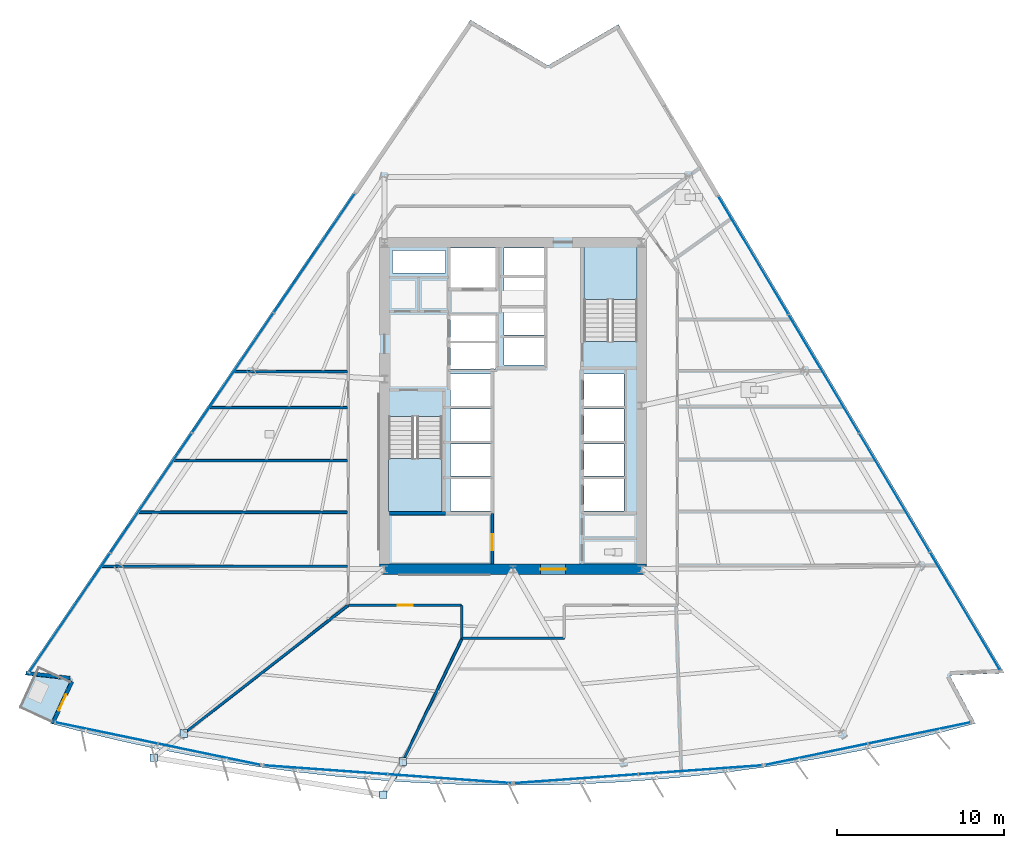
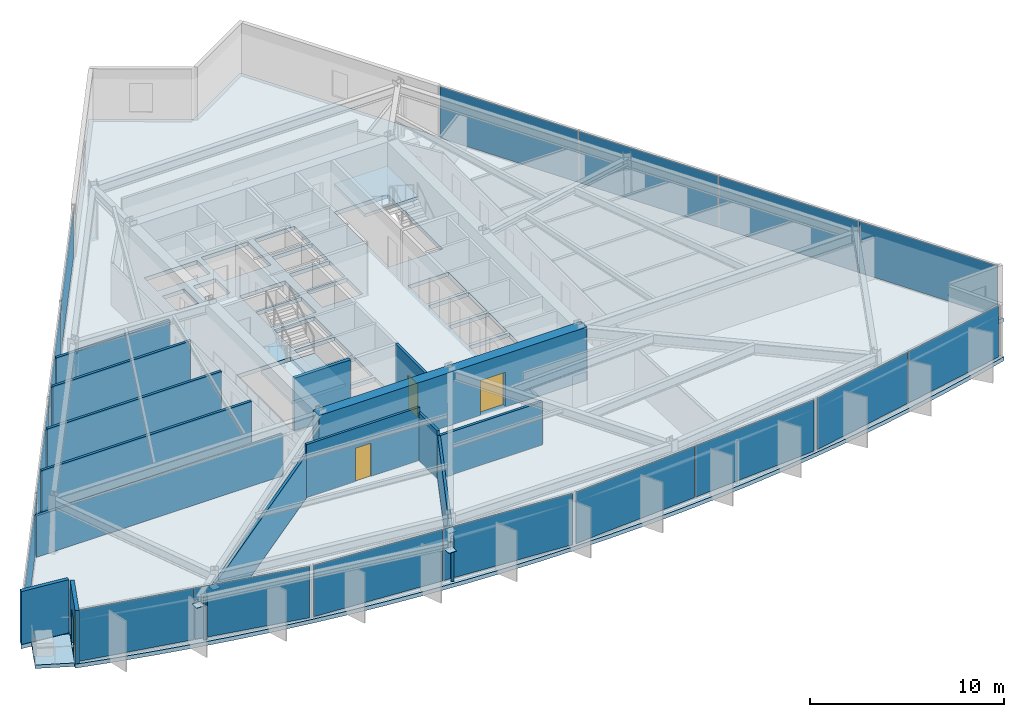
# One storey, part 8 of 17: 20 plates, 15 walls, 4 doors, 4 slabs, 4 openings, 8 elements without a shape of their own.
"""IFC4 building model written with IfcOpenShell, lengths in metres."""

from ifc_helpers import new_model, si_unit, direction, frame, frame_2d, origin, origin_2d, place, context, subcontext, project, spatial, polyline, rectangle, outline, extrude, material, layer, layer_set, type_object, element, fill, aggregate, save


model = new_model("IFC4")

# Units and contexts
model_context = context("Model", 3, precision=1e-05, world=origin(), true_north=direction((0.0, 1.0)))
body_context = subcontext(model_context, "Body", "Model", "MODEL_VIEW")
ifc_project = project(units=[si_unit("LENGTHUNIT", "METRE"), si_unit("AREAUNIT", "SQUARE_METRE"), si_unit("VOLUMEUNIT", "CUBIC_METRE"), si_unit("PLANEANGLEUNIT", "RADIAN"), si_unit("MASSUNIT", "GRAM", prefix="KILO")], contexts=[model_context])

# Site, building, storey
site_placement = place(None, origin())
site = spatial("IfcSite", under=ifc_project, at=site_placement, CompositionType="ELEMENT")
building_placement = place(site_placement, origin())
building = spatial("IfcBuilding", under=site, at=building_placement, Name="Savorim Split Tower", CompositionType="ELEMENT")
storey_placement = place(building_placement, frame((0.0, 0.0, 55.199951171875)))
storey = spatial("IfcBuildingStorey", under=building, at=storey_placement, Name="L14", CompositionType="ELEMENT", Elevation=55.199951171875)

# Curtain wall, plates
ifc_material_1 = material(Name="Dark Ceramic-Fritted Insulated Glass", Category="glass")
curtain_wall_type = type_object("IfcCurtainWallType", Name="CW-TWR-FRIT-A", PredefinedType="NOTDEFINED", material=ifc_material_1)
curtain_wall_1_placement = place(storey_placement, origin())
curtain_wall_1 = element("IfcCurtainWall", 1, at=curtain_wall_1_placement, inside=storey, type_object=curtain_wall_type, Name="L14 Curtain Wall CW-L14-SF1", PredefinedType="NOTDEFINED")
ifc_layer_1 = layer(ifc_material_1, 0.028076171875)
ifc_layer_set_1 = layer_set([ifc_layer_1], Name="CWP-FRITA-28")
plate_type_1 = type_object("IfcPlateType", Name="CWP-FRITA-28", PredefinedType="CURTAIN_PANEL", material=ifc_layer_set_1)
plate_1_placement = place(storey_placement, frame((-24.364501953125, -19.215087890625, 0.05517578125), z_axis=(0.0, 0.0, 1.0), x_axis=(0.979134341705, -0.203214027305, 0.0)))
plate_1 = element("IfcPlate", 2, at=plate_1_placement, type_object=plate_type_1, Name="CW-02 panel 1.1", PredefinedType="CURTAIN_PANEL", context=body_context, shape_type="SweptSolid", body=[
    extrude(rectangle(XDim=6.23095703125, YDim=0.028076171875, at=origin_2d()), origin(), (0.0, 0.0, 1.0), 3.239990234375),
])
plate_2_placement = place(storey_placement, frame((-18.19970703125, -20.49462890625, 0.05517578125), z_axis=(0.0, 0.0, 1.0), x_axis=(0.979134341705, -0.203214027305, 0.0)))
plate_2 = element("IfcPlate", 3, at=plate_2_placement, type_object=plate_type_1, Name="CW-02 panel 2.1", PredefinedType="CURTAIN_PANEL", context=body_context, shape_type="SweptSolid", body=[
    extrude(rectangle(XDim=6.23095703125, YDim=0.028076171875, at=origin_2d()), origin(), (0.0, 0.0, 1.0), 3.239990234375),
])
aggregate(curtain_wall_1, [plate_1, plate_2])

curtain_wall_2_placement = place(storey_placement, origin())
curtain_wall_2 = element("IfcCurtainWall", 4, at=curtain_wall_2_placement, inside=storey, type_object=curtain_wall_type, Name="L14 Curtain Wall CW-L14-SF2", PredefinedType="NOTDEFINED")
plate_3_placement = place(storey_placement, frame((-11.233642578125, -21.424072265625, 0.05517578125), z_axis=(0.0, 0.0, 1.0), x_axis=(0.997436509051, -0.071557043071, 0.0)))
plate_3 = element("IfcPlate", 5, at=plate_3_placement, type_object=plate_type_1, Name="CW-02 panel 1.1", PredefinedType="CURTAIN_PANEL", context=body_context, shape_type="SweptSolid", body=[
    extrude(rectangle(XDim=7.387451171875, YDim=0.028076171875, at=origin_2d()), origin(), (0.0, 0.0, 1.0), 3.239990234375),
])
plate_4_placement = place(storey_placement, frame((-3.80029296875, -21.95751953125, 0.05517578125), z_axis=(0.0, 0.0, 1.0), x_axis=(0.997436509051, -0.071557043071, 0.0)))
plate_4 = element("IfcPlate", 6, at=plate_4_placement, type_object=plate_type_1, Name="CW-02 panel 2.1", PredefinedType="CURTAIN_PANEL", context=body_context, shape_type="SweptSolid", body=[
    extrude(rectangle(XDim=7.387451171875, YDim=0.028076171875, at=origin_2d()), origin(), (0.0, 0.0, 1.0), 3.239990234375),
])
aggregate(curtain_wall_2, [plate_3, plate_4])

curtain_wall_3_placement = place(storey_placement, origin())
curtain_wall_3 = element("IfcCurtainWall", 7, at=curtain_wall_3_placement, inside=storey, type_object=curtain_wall_type, Name="L14 Curtain Wall CW-L14-SF3", PredefinedType="NOTDEFINED")
plate_5_placement = place(storey_placement, frame((3.80029296875, -21.95751953125, 0.05517578125), z_axis=(0.0, 0.0, 1.0), x_axis=(0.997436509051, 0.071557043071, 0.0)))
plate_5 = element("IfcPlate", 8, at=plate_5_placement, type_object=plate_type_1, Name="CW-02 panel 1.1", PredefinedType="CURTAIN_PANEL", context=body_context, shape_type="SweptSolid", body=[
    extrude(rectangle(XDim=7.387451171875, YDim=0.028076171875, at=origin_2d()), origin(), (0.0, 0.0, 1.0), 3.239990234375),
])
plate_6_placement = place(storey_placement, frame((11.233642578125, -21.424072265625, 0.05517578125), z_axis=(0.0, 0.0, 1.0), x_axis=(0.997436509051, 0.071557043071, 0.0)))
plate_6 = element("IfcPlate", 9, at=plate_6_placement, type_object=plate_type_1, Name="CW-02 panel 2.1", PredefinedType="CURTAIN_PANEL", context=body_context, shape_type="SweptSolid", body=[
    extrude(rectangle(XDim=7.387451171875, YDim=0.028076171875, at=origin_2d()), origin(), (0.0, 0.0, 1.0), 3.239990234375),
])
aggregate(curtain_wall_3, [plate_5, plate_6])

curtain_wall_4_placement = place(storey_placement, origin())
curtain_wall_4 = element("IfcCurtainWall", 10, at=curtain_wall_4_placement, inside=storey, type_object=curtain_wall_type, Name="L14 Curtain Wall CW-L14-SF4", PredefinedType="NOTDEFINED")
plate_7_placement = place(storey_placement, frame((18.19970703125, -20.49462890625, 0.05517578125), z_axis=(0.0, 0.0, 1.0), x_axis=(0.979134341705, 0.203214027305, 0.0)))
plate_7 = element("IfcPlate", 11, at=plate_7_placement, type_object=plate_type_1, Name="CW-02 panel 1.1", PredefinedType="CURTAIN_PANEL", context=body_context, shape_type="SweptSolid", body=[
    extrude(rectangle(XDim=6.23095703125, YDim=0.028076171875, at=origin_2d()), origin(), (0.0, 0.0, 1.0), 3.239990234375),
])
plate_8_placement = place(storey_placement, frame((24.364501953125, -19.215087890625, 0.05517578125), z_axis=(0.0, 0.0, 1.0), x_axis=(0.979134341705, 0.203214027305, 0.0)))
plate_8 = element("IfcPlate", 12, at=plate_8_placement, type_object=plate_type_1, Name="CW-02 panel 2.1", PredefinedType="CURTAIN_PANEL", context=body_context, shape_type="SweptSolid", body=[
    extrude(rectangle(XDim=6.23095703125, YDim=0.028076171875, at=origin_2d()), origin(), (0.0, 0.0, 1.0), 3.239990234375),
])
aggregate(curtain_wall_4, [plate_7, plate_8])

curtain_wall_5_placement = place(storey_placement, origin())
curtain_wall_5 = element("IfcCurtainWall", 13, at=curtain_wall_5_placement, inside=storey, type_object=curtain_wall_type, Name="L14 Curtain Wall CW-L14-EAST", PredefinedType="NOTDEFINED")
plate_9_placement = place(storey_placement, frame((27.0947265625, -11.918701171875, 0.05517578125), z_axis=(0.0, 0.0, 1.0), x_axis=(-0.511092320583, 0.859525822673, 0.0)))
plate_9 = element("IfcPlate", 14, at=plate_9_placement, type_object=plate_type_1, Name="CW-02 panel 1.1", PredefinedType="CURTAIN_PANEL", context=body_context, shape_type="SweptSolid", body=[
    extrude(rectangle(XDim=8.18896484375, YDim=0.028076171875, at=origin_2d()), origin(), (0.0, 0.0, 1.0), 3.239990234375),
])
plate_10_placement = place(storey_placement, frame((22.867919921875, -4.81005859375, 0.05517578125), z_axis=(0.0, 0.0, 1.0), x_axis=(-0.511092320583, 0.859525822673, 0.0)))
plate_10 = element("IfcPlate", 15, at=plate_10_placement, type_object=plate_type_1, Name="CW-02 panel 2.1", PredefinedType="CURTAIN_PANEL", context=body_context, shape_type="SweptSolid", body=[
    extrude(rectangle(XDim=8.221435546875, YDim=0.028076171875, at=origin_2d()), origin(), (0.0, 0.0, 1.0), 3.239990234375),
])
plate_11_placement = place(storey_placement, frame((18.632568359375, 2.3125, 0.05517578125), z_axis=(0.0, 0.0, 1.0), x_axis=(-0.511092320583, 0.859525822673, 0.0)))
plate_11 = element("IfcPlate", 16, at=plate_11_placement, type_object=plate_type_1, Name="CW-02 panel 3.1", PredefinedType="CURTAIN_PANEL", context=body_context, shape_type="SweptSolid", body=[
    extrude(rectangle(XDim=8.221435546875, YDim=0.028076171875, at=origin_2d()), origin(), (0.0, 0.0, 1.0), 3.239990234375),
])
plate_12_placement = place(storey_placement, frame((14.40576171875, 9.4208984375, 0.05517578125), z_axis=(0.0, 0.0, 1.0), x_axis=(-0.511092320583, 0.859525822673, 0.0)))
plate_12 = element("IfcPlate", 17, at=plate_12_placement, type_object=plate_type_1, Name="CW-02 panel 4.1", PredefinedType="CURTAIN_PANEL", context=body_context, shape_type="SweptSolid", body=[
    extrude(rectangle(XDim=8.18896484375, YDim=0.028076171875, at=origin_2d()), origin(), (0.0, 0.0, 1.0), 3.239990234375),
])
aggregate(curtain_wall_5, [plate_9, plate_10, plate_11, plate_12])

curtain_wall_6_placement = place(storey_placement, origin())
curtain_wall_6 = element("IfcCurtainWall", 18, at=curtain_wall_6_placement, inside=storey, type_object=curtain_wall_type, Name="L14 Curtain Wall CW-L14-WEST", PredefinedType="NOTDEFINED")
plate_13_placement = place(storey_placement, frame((-11.907470703125, 9.5517578125, 0.05517578125), z_axis=(0.0, 0.0, 1.0), x_axis=(-0.562466356423, -0.826820172644, 0.0)))
plate_13 = element("IfcPlate", 19, at=plate_13_placement, type_object=plate_type_1, Name="CW-02 panel 1.1", PredefinedType="CURTAIN_PANEL", context=body_context, shape_type="SweptSolid", body=[
    extrude(rectangle(XDim=8.606201171875, YDim=0.028076171875, at=origin_2d()), origin(), (0.0, 0.0, 1.0), 3.239990234375),
])
plate_14_placement = place(storey_placement, frame((-16.7939453125, 2.368896484375, 0.05517578125), z_axis=(0.0, 0.0, 1.0), x_axis=(-0.562466356423, -0.826820172644, 0.0)))
plate_14 = element("IfcPlate", 20, at=plate_14_placement, type_object=plate_type_1, Name="CW-02 panel 2.1", PredefinedType="CURTAIN_PANEL", context=body_context, shape_type="SweptSolid", body=[
    extrude(rectangle(XDim=8.638671875, YDim=0.028076171875, at=origin_2d()), origin(), (0.0, 0.0, 1.0), 3.239990234375),
])
plate_15_placement = place(storey_placement, frame((-21.689453125, -4.82763671875, 0.05517578125), z_axis=(0.0, 0.0, 1.0), x_axis=(-0.562466356423, -0.826820172644, 0.0)))
plate_15 = element("IfcPlate", 21, at=plate_15_placement, type_object=plate_type_1, Name="CW-02 panel 3.1", PredefinedType="CURTAIN_PANEL", context=body_context, shape_type="SweptSolid", body=[
    extrude(rectangle(XDim=8.638671875, YDim=0.028076171875, at=origin_2d()), origin(), (0.0, 0.0, 1.0), 3.239990234375),
])
plate_16_placement = place(storey_placement, frame((-26.57568359375, -12.010498046875, 0.05517578125), z_axis=(0.0, 0.0, 1.0), x_axis=(-0.562466356423, -0.826820172644, 0.0)))
plate_16 = element("IfcPlate", 22, at=plate_16_placement, type_object=plate_type_1, Name="CW-02 panel 4.1", PredefinedType="CURTAIN_PANEL", context=body_context, shape_type="SweptSolid", body=[
    extrude(rectangle(XDim=8.606201171875, YDim=0.028076171875, at=origin_2d()), origin(), (0.0, 0.0, 1.0), 3.239990234375),
])
aggregate(curtain_wall_6, [plate_13, plate_14, plate_15, plate_16])

# Plates
ifc_material_2 = material(Name="Steel S460", Category="steel")
ifc_layer_2 = layer(ifc_material_2, 0.02490234375)
ifc_layer_set_2 = layer_set([ifc_layer_2], Name="PLT-NODE-CN1")
plate_type_2 = type_object("IfcPlateType", Name="PLT-NODE-CN1", PredefinedType="SHEET", material=ifc_layer_set_2)
for number, where, z_axis, x_axis, name in (
    (23, (-19.7392578125, -19.243896484375, 2.4375), (0.0, 0.0, 1.0), (1.0, 0.0, 0.0), "L14 Bay Strut Column Gusset Plate 1"),
    (24, (-21.536376953125, -20.69140625, 2.8076171875), (0.0, 0.0, 1.0), (1.0, 0.0, 0.0), "L14 Bay Strut Tip Gusset Plate 1"),
    (25, (-6.61572265625, -20.928955078125, 2.4375), (0.0, 0.0, 1.0), (1.0, 0.0, 0.0), "L14 Bay Strut Column Gusset Plate 2"),
    (26, (-7.779541015625, -22.925537109375, 2.8076171875), (0.0, 0.0, 1.0), (1.0, 0.0, 0.0), "L14 Bay Strut Tip Gusset Plate 2"),
):
    element("IfcPlate", number, at=place(storey_placement, frame(where, z_axis=z_axis, x_axis=x_axis)), inside=storey, type_object=plate_type_2, Name=name, PredefinedType="SHEET", context=body_context, shape_type="SweptSolid", body=[
        extrude(rectangle(XDim=0.4599609375, YDim=0.4599609375, at=origin_2d()), origin(), (0.0, 0.0, 1.0), 0.02490234375),
    ])

# Slab
ifc_material_3 = material(Name="Concrete C50/60", Category="concrete")
ifc_layer_3 = layer(ifc_material_3, 0.219970703125)
ifc_layer_set_3 = layer_set([ifc_layer_3], Name="SLB-BAL-220")
slab_type_1 = type_object("IfcSlabType", Name="SLB-BAL-220", PredefinedType="FLOOR", material=ifc_layer_set_3)
slab_1_placement = place(storey_placement, frame((0.0, 0.0, -0.219970703125)))
element("IfcSlab", 27, at=slab_1_placement, inside=storey, type_object=slab_type_1, Name="L14 Notched Corner Planted Tree Balcony Slab", PredefinedType="FLOOR", context=body_context, shape_type="SweptSolid", body=[
    extrude(outline(polyline([(-27.6728515625, -18.530517578125), (-26.578369140625, -16.1484375), (-26.888916015625, -16.005859375), (-28.672119140625, -15.806640625), (-29.531005859375, -17.6767578125), (-27.6728515625, -18.530517578125)])), origin(), (0.0, 0.0, 1.0), 0.219970703125),
])

# Stair, slab
stair_type = type_object("IfcStairType", Name="STR-DOG-3600", PredefinedType="HALF_TURN_STAIR", material=ifc_material_3)
stair_1_placement = place(storey_placement, origin())
stair_1 = element("IfcStair", 28, at=stair_1_placement, inside=storey, type_object=stair_type, Name="L14 Core Protected Exit Stair ST-1", PredefinedType="HALF_TURN_STAIR")
ifc_layer_4 = layer(ifc_material_3, 0.199951171875)
ifc_layer_set_4 = layer_set([ifc_layer_4], Name="SLB-LND-200")
slab_type_2 = type_object("IfcSlabType", Name="SLB-LND-200", PredefinedType="LANDING", material=ifc_layer_set_4)
slab_2_placement = place(storey_placement, frame((0.0, 0.0, 1.60009765625)))
slab_2 = element("IfcSlab", 29, at=slab_2_placement, type_object=slab_type_2, Name="ST-1 landing 1", PredefinedType="LANDING", context=body_context, shape_type="SweptSolid", body=[
    extrude(outline(polyline([(-7.449951171875, -2.77001953125), (-7.449951171875, -5.949951171875), (-4.25, -5.949951171875), (-4.25, -2.77001953125), (-7.449951171875, -2.77001953125)])), origin(), (0.0, 0.0, 1.0), 0.199951171875),
])
aggregate(stair_1, [slab_2])

stair_2_placement = place(storey_placement, origin())
stair_2 = element("IfcStair", 30, at=stair_2_placement, inside=storey, type_object=stair_type, Name="L14 Core Protected Exit Stair ST-2", PredefinedType="HALF_TURN_STAIR")
slab_3_placement = place(storey_placement, frame((0.0, 0.0, 1.60009765625)))
slab_3 = element("IfcSlab", 31, at=slab_3_placement, type_object=slab_type_2, Name="ST-2 landing 1", PredefinedType="LANDING", context=body_context, shape_type="SweptSolid", body=[
    extrude(outline(polyline([(7.449951171875, 6.77001953125), (7.449951171875, 9.949951171875), (4.25, 9.949951171875), (4.25, 6.77001953125), (7.449951171875, 6.77001953125)])), origin(), (0.0, 0.0, 1.0), 0.199951171875),
])
aggregate(stair_2, [slab_3])

# Slab
ifc_layer_5 = layer(ifc_material_3, 0.25)
ifc_layer_set_5 = layer_set([ifc_layer_5], Name="SLB-TWR-250")
slab_type_3 = type_object("IfcSlabType", Name="SLB-TWR-250", PredefinedType="FLOOR", material=ifc_layer_set_5)
slab_4_placement = place(storey_placement, frame((0.0, 0.0, -0.25)))
element("IfcSlab", 32, at=slab_4_placement, inside=storey, type_object=slab_type_3, Name="L14 Structural Floor Slab", PredefinedType="FLOOR", context=body_context, shape_type="SweptSolid", body=[
    extrude(outline(polyline([(-27.718505859375, -18.6416015625), (-25.631103515625, -19.1875), (-23.533203125, -19.6904296875), (-21.42529296875, -20.150390625), (-19.308349609375, -20.5673828125), (-17.183349609375, -20.940673828125), (-15.05126953125, -21.2705078125), (-12.912841796875, -21.556640625), (-10.768798828125, -21.799072265625), (-8.62060546875, -21.997314453125), (-6.468505859375, -22.15185546875), (-4.31396484375, -22.26220703125), (-2.157470703125, -22.328369140625), (0.0, -22.350341796875), (2.157470703125, -22.328369140625), (4.31396484375, -22.26220703125), (6.468505859375, -22.15185546875), (8.62060546875, -21.997314453125), (10.768798828125, -21.799072265625), (12.912841796875, -21.556640625), (15.05126953125, -21.2705078125), (17.183349609375, -20.940673828125), (19.308349609375, -20.5673828125), (21.42529296875, -20.150390625), (23.533203125, -19.6904296875), (25.631103515625, -19.1875), (27.718505859375, -18.6416015625), (26.17236328125, -15.760498046875), (29.436279296875, -15.62158203125), (6.318603515625, 23.256591796875), (2.098388671875, 20.797119140625), (-2.5458984375, 23.526611328125), (-29.255615234375, -15.736572265625), (-26.523681640625, -16.04150390625), (-27.718505859375, -18.6416015625)]), holes=[polyline([(-7.449951171875, -0.25390625), (-7.449951171875, -5.949951171875), (-4.25, -5.949951171875), (-4.25, -0.25390625), (-7.449951171875, -0.25390625)]), polyline([(7.449951171875, 4.25390625), (7.449951171875, 9.949951171875), (4.25, 9.949951171875), (4.25, 4.25390625), (7.449951171875, 4.25390625)]), polyline([(4.25, -5.89990234375), (6.64990234375, -5.89990234375), (6.64990234375, -4.0), (4.25, -4.0), (4.25, -5.89990234375)]), polyline([(4.25, -3.800048828125), (6.64990234375, -3.800048828125), (6.64990234375, -1.89990234375), (4.25, -1.89990234375), (4.25, -3.800048828125)]), polyline([(4.25, -1.699951171875), (6.64990234375, -1.699951171875), (6.64990234375, 0.199951171875), (4.25, 0.199951171875), (4.25, -1.699951171875)]), polyline([(4.25, 0.39990234375), (6.64990234375, 0.39990234375), (6.64990234375, 2.300048828125), (4.25, 2.300048828125), (4.25, 0.39990234375)]), polyline([(-3.75, -5.89990234375), (-1.35009765625, -5.89990234375), (-1.35009765625, -4.0), (-3.75, -4.0), (-3.75, -5.89990234375)]), polyline([(-3.75, -3.800048828125), (-1.35009765625, -3.800048828125), (-1.35009765625, -1.89990234375), (-3.75, -1.89990234375), (-3.75, -3.800048828125)]), polyline([(-3.75, -1.699951171875), (-1.35009765625, -1.699951171875), (-1.35009765625, 0.199951171875), (-3.75, 0.199951171875), (-3.75, -1.699951171875)]), polyline([(-3.75, 0.39990234375), (-1.35009765625, 0.39990234375), (-1.35009765625, 2.300048828125), (-3.75, 2.300048828125), (-3.75, 0.39990234375)]), polyline([(-0.550048828125, 2.830078125), (1.85009765625, 2.830078125), (1.85009765625, 4.469970703125), (-0.550048828125, 4.469970703125), (-0.550048828125, 2.830078125)]), polyline([(-0.550048828125, 4.6298828125), (1.85009765625, 4.6298828125), (1.85009765625, 6.27001953125), (-0.550048828125, 6.27001953125), (-0.550048828125, 4.6298828125)]), polyline([(-0.550048828125, 6.429931640625), (1.85009765625, 6.429931640625), (1.85009765625, 8.070068359375), (-0.550048828125, 8.070068359375), (-0.550048828125, 6.429931640625)]), polyline([(-0.550048828125, 8.22998046875), (1.85009765625, 8.22998046875), (1.85009765625, 9.8701171875), (-0.550048828125, 9.8701171875), (-0.550048828125, 8.22998046875)]), polyline([(-3.75, 2.60009765625), (-1.050048828125, 2.60009765625), (-1.050048828125, 4.159912109375), (-3.75, 4.159912109375), (-3.75, 2.60009765625)]), polyline([(-3.75, 4.280029296875), (-1.050048828125, 4.280029296875), (-1.050048828125, 5.840087890625), (-3.75, 5.840087890625), (-3.75, 4.280029296875)]), polyline([(-3.75, 7.449951171875), (-0.949951171875, 7.449951171875), (-0.949951171875, 9.85009765625), (-3.75, 9.85009765625), (-3.75, 7.449951171875)]), polyline([(-7.219970703125, 6.320068359375), (-5.919921875, 6.320068359375), (-5.919921875, 7.820068359375), (-7.219970703125, 7.820068359375), (-7.219970703125, 6.320068359375)]), polyline([(-5.3798828125, 6.320068359375), (-4.050048828125, 6.320068359375), (-4.050048828125, 7.820068359375), (-5.3798828125, 7.820068359375), (-5.3798828125, 6.320068359375)]), polyline([(-7.219970703125, 8.360107421875), (-4.050048828125, 8.360107421875), (-4.050048828125, 9.719970703125), (-7.219970703125, 9.719970703125), (-7.219970703125, 8.360107421875)])]), origin(), (0.0, 0.0, 1.0), 0.25),
])

# Wall, opening, door
ifc_material_4 = material(Name="Concrete C60/75", Category="concrete")
ifc_layer_6 = layer(ifc_material_4, 0.60009765625)
ifc_layer_set_6 = layer_set([ifc_layer_6], Name="WAL-COR-SH600")
wall_type_1 = type_object("IfcWallType", Name="WAL-COR-SH600", PredefinedType="SHEAR", material=ifc_layer_set_6)
wall_1_placement = place(storey_placement, frame((-8.0, -9.39990234375, 0.0), z_axis=(0.0, 0.0, 1.0), x_axis=(1.0, 0.0, 0.0)))
wall_1 = element("IfcWall", 33, at=wall_1_placement, inside=storey, type_object=wall_type_1, Name="L14 Offset Core South Shear Wall", PredefinedType="SHEAR", context=body_context, shape_type="SweptSolid", body=[
    extrude(rectangle(XDim=16.0, YDim=0.60009765625, at=frame_2d((8.0, 0.0))), origin(), (0.0, 0.0, 1.0), 3.35009765625),
])
opening_1_placement = place(wall_1_placement, frame((9.64990234375, 0.0, 0.0)))
opening_1 = element("IfcOpeningElement", 34, at=opening_1_placement, cuts=wall_1, Name="Opening DI-02", PredefinedType="OPENING", context=body_context, shape_type="SweptSolid", body=[
    extrude(rectangle(XDim=1.5, YDim=2.199951171875, at=frame_2d((0.75, 1.10009765625))), frame((0.0, 0.31005859375, 0.0), z_axis=(0.0, -1.0, 0.0), x_axis=(1.0, 0.0, 0.0)), (0.0, 0.0, 1.0), 0.6201171875),
])
ifc_material_5 = material(Name="Timber Fire Door Leaf", Category="wood")
door_type_1 = type_object("IfcDoorType", Name="DOR-DBL-1500", OperationType="NOTDEFINED", PredefinedType="DOOR", material=ifc_material_5)
door_1_placement = place(opening_1_placement, origin())
door_1 = element("IfcDoor", 35, at=door_1_placement, inside=storey, type_object=door_type_1, Name="DOR-L14-COR-LLOB - L14 Lift Lobby Main Rated Door", OperationType="DOUBLE_DOOR_SINGLE_SWING", OverallHeight=2.199951171875, OverallWidth=1.5, PredefinedType="DOOR", context=body_context, shape_type="SweptSolid", body=[
    extrude(rectangle(XDim=1.5, YDim=2.199951171875, at=frame_2d((0.75, 1.10009765625))), frame((0.0, 0.02490234375, 0.0), z_axis=(0.0, -1.0, 0.0), x_axis=(1.0, 0.0, 0.0)), (0.0, 0.0, 1.0), 0.050048828125),
])
fill(opening_1, door_1)

# Wall
ifc_material_6 = material(Name="Precast concrete C40/50", Category="concrete")
ifc_layer_7 = layer(ifc_material_6, 0.219970703125)
ifc_layer_set_7 = layer_set([ifc_layer_7], Name="WAL-EXT-CRN220")
wall_type_2 = type_object("IfcWallType", Name="WAL-EXT-CRN220", PredefinedType="SOLIDWALL", material=ifc_layer_set_7)
wall_2_placement = place(storey_placement, frame((-26.55029296875, -15.917724609375, 0.0), z_axis=(0.0, 0.0, 1.0), x_axis=(-0.993824465748, 0.110963648468, 0.0)))
element("IfcWall", 36, at=wall_2_placement, inside=storey, type_object=wall_type_2, Name="L14 Notched Corner Facade Wall SW1", PredefinedType="SOLIDWALL", context=body_context, shape_type="SweptSolid", body=[
    extrude(rectangle(XDim=2.6689453125, YDim=0.219970703125, at=frame_2d((1.33447265625, 0.0))), origin(), (0.0, 0.0, 1.0), 3.35009765625),
])

# Wall, opening, door
wall_3_placement = place(storey_placement, frame((-27.5927734375, -18.655517578125, 0.0), z_axis=(0.0, 0.0, 1.0), x_axis=(0.417515840695, 0.908669644463, 0.0)))
wall_3 = element("IfcWall", 37, at=wall_3_placement, inside=storey, type_object=wall_type_2, Name="L14 Notched Corner Facade Wall SW", PredefinedType="SOLIDWALL", context=body_context, shape_type="SweptSolid", body=[
    extrude(rectangle(XDim=2.78173828125, YDim=0.219970703125, at=frame_2d((1.390869140625, 0.0))), origin(), (0.0, 0.0, 1.0), 3.35009765625),
])
opening_2_placement = place(wall_3_placement, frame((0.86572265625, 0.0, 0.0)))
opening_2 = element("IfcOpeningElement", 38, at=opening_2_placement, cuts=wall_3, Name="Opening DB-01", PredefinedType="OPENING", context=body_context, shape_type="SweptSolid", body=[
    extrude(rectangle(XDim=1.050048828125, YDim=2.14990234375, at=frame_2d((0.52490234375, 1.074951171875))), frame((0.0, 0.119873046875, 0.0), z_axis=(0.0, -1.0, 0.0), x_axis=(1.0, 0.0, 0.0)), (0.0, 0.0, 1.0), 0.239990234375),
])
ifc_material_7 = material(Name="Charcoal Anodised Aluminium", Category="aluminium")
door_type_2 = type_object("IfcDoorType", Name="DOR-BAL-1050", OperationType="NOTDEFINED", PredefinedType="DOOR", material=ifc_material_7)
door_2_placement = place(opening_2_placement, origin())
door_2 = element("IfcDoor", 39, at=door_2_placement, inside=storey, type_object=door_type_2, Name="DOR-L14-TBAL-SW - L14 Planted Tree Balcony Door SW", OperationType="SINGLE_SWING_LEFT", OverallHeight=2.14990234375, OverallWidth=1.050048828125, PredefinedType="DOOR", context=body_context, shape_type="SweptSolid", body=[
    extrude(rectangle(XDim=1.050048828125, YDim=2.14990234375, at=frame_2d((0.52490234375, 1.074951171875))), frame((0.0, 0.02490234375, 0.0), z_axis=(0.0, -1.0, 0.0), x_axis=(1.0, 0.0, 0.0)), (0.0, 0.0, 1.0), 0.050048828125),
])
fill(opening_2, door_2)

# Wall
ifc_layer_8 = layer(ifc_material_3, 0.199951171875)
ifc_layer_set_8 = layer_set([ifc_layer_8], Name="WAL-INT-RC200")
wall_type_3 = type_object("IfcWallType", Name="WAL-INT-RC200", PredefinedType="SOLIDWALL", material=ifc_layer_set_8)
wall_4_placement = place(storey_placement, frame((-7.39990234375, -6.050048828125, 0.0), z_axis=(0.0, 0.0, 1.0), x_axis=(1.0, 0.0, 0.0)))
element("IfcWall", 40, at=wall_4_placement, inside=storey, type_object=wall_type_3, Name="L14 Structural Shaft Wall W-L14-KSEP-W", PredefinedType="SOLIDWALL", context=body_context, shape_type="SweptSolid", body=[
    extrude(rectangle(XDim=3.349853515625, YDim=0.199951171875, at=frame_2d((1.6748046875, 0.0))), origin(), (0.0, 0.0, 1.0), 3.35009765625),
])

# Wall, opening, door
ifc_material_8 = material(Name="Acoustic Gypsum Partition Board")
ifc_layer_9 = layer(ifc_material_8, 0.14990234375)
ifc_layer_set_9 = layer_set([ifc_layer_9], Name="WAL-PAR-150")
wall_type_4 = type_object("IfcWallType", Name="WAL-PAR-150", PredefinedType="PARTITIONING", material=ifc_layer_set_9)
wall_5_placement = place(storey_placement, frame((-1.25, -9.094970703125, 0.0), z_axis=(0.0, 0.0, 1.0), x_axis=(0.0, 1.0, 0.0)))
wall_5 = element("IfcWall", 41, at=wall_5_placement, inside=storey, type_object=wall_type_4, Name="L14 Partition W-L14-KLOB-W", PredefinedType="PARTITIONING", context=body_context, shape_type="SweptSolid", body=[
    extrude(rectangle(XDim=3.044921875, YDim=0.14990234375, at=frame_2d((1.5224609375, 0.0))), origin(), (0.0, 0.0, 1.0), 3.35009765625),
])
opening_3_placement = place(wall_5_placement, frame((0.844970703125, 0.0, 0.0)))
opening_3 = element("IfcOpeningElement", 42, at=opening_3_placement, cuts=wall_5, Name="Opening DI-05", PredefinedType="OPENING", context=body_context, shape_type="SweptSolid", body=[
    extrude(rectangle(XDim=0.949951171875, YDim=2.10009765625, at=frame_2d((0.47509765625, 1.050048828125))), frame((0.0, 0.0849609375, 0.0), z_axis=(0.0, -1.0, 0.0), x_axis=(1.0, 0.0, 0.0)), (0.0, 0.0, 1.0), 0.169921875),
])
door_type_3 = type_object("IfcDoorType", Name="DOR-FIR-950", OperationType="NOTDEFINED", PredefinedType="DOOR", material=ifc_material_5)
door_3_placement = place(opening_3_placement, origin())
door_3 = element("IfcDoor", 43, at=door_3_placement, inside=storey, type_object=door_type_3, Name="DR-L14-K3LIN - L14 Housekeeping Store Door", OperationType="SINGLE_SWING_LEFT", OverallHeight=2.10009765625, OverallWidth=0.949951171875, PredefinedType="DOOR", context=body_context, shape_type="SweptSolid", body=[
    extrude(rectangle(XDim=0.949951171875, YDim=2.10009765625, at=frame_2d((0.47509765625, 1.050048828125))), frame((0.0, 0.02490234375, 0.0), z_axis=(0.0, -1.0, 0.0), x_axis=(1.0, 0.0, 0.0)), (0.0, 0.0, 1.0), 0.050048828125),
])
fill(opening_3, door_3)

# Walls
wall_6_placement = place(storey_placement, frame((3.080078125, -13.530029296875, 0.0), z_axis=(0.0, 0.0, 1.0), x_axis=(-1.0, 0.0, 0.0)))
element("IfcWall", 44, at=wall_6_placement, inside=storey, type_object=wall_type_4, Name="L14 Partition W-L14-COR-08", PredefinedType="PARTITIONING", context=body_context, shape_type="SweptSolid", body=[
    extrude(rectangle(XDim=6.16015625, YDim=0.14990234375, at=frame_2d((3.080078125, 0.0))), origin(), (0.0, 0.0, 1.0), 2.72509765625),
])
wall_7_placement = place(storey_placement, frame((-3.080078125, -13.530029296875, 0.0), z_axis=(0.0, 0.0, 1.0), x_axis=(0.0, 1.0, 0.0)))
element("IfcWall", 45, at=wall_7_placement, inside=storey, type_object=wall_type_4, Name="L14 Partition W-L14-COR-09", PredefinedType="PARTITIONING", context=body_context, shape_type="SweptSolid", body=[
    extrude(rectangle(XDim=1.969970703125, YDim=0.14990234375, at=frame_2d((0.98486328125, 0.0))), origin(), (0.0, 0.0, 1.0), 3.025146484375),
])

# Wall, opening, door
wall_8_placement = place(storey_placement, frame((-3.080078125, -11.56005859375, 0.0), z_axis=(0.0, 0.0, 1.0), x_axis=(-1.0, 0.0, 0.0)))
wall_8 = element("IfcWall", 46, at=wall_8_placement, inside=storey, type_object=wall_type_4, Name="L14 Partition W-L14-COR-10", PredefinedType="PARTITIONING", context=body_context, shape_type="SweptSolid", body=[
    extrude(rectangle(XDim=6.780029296875, YDim=0.14990234375, at=frame_2d((3.39013671875, 0.0))), origin(), (0.0, 0.0, 1.0), 3.35009765625),
])
opening_4_placement = place(wall_8_placement, frame((2.93994140625, 0.0, 0.0)))
opening_4 = element("IfcOpeningElement", 47, at=opening_4_placement, cuts=wall_8, Name="Opening DI-06", PredefinedType="OPENING", context=body_context, shape_type="SweptSolid", body=[
    extrude(rectangle(XDim=0.89990234375, YDim=2.10009765625, at=frame_2d((0.449951171875, 1.050048828125))), frame((0.0, 0.0849609375, 0.0), z_axis=(0.0, -1.0, 0.0), x_axis=(1.0, 0.0, 0.0)), (0.0, 0.0, 1.0), 0.169921875),
])
door_type_4 = type_object("IfcDoorType", Name="DOR-FIR-900", OperationType="NOTDEFINED", PredefinedType="DOOR", material=ifc_material_5)
door_4_placement = place(opening_4_placement, origin())
door_4 = element("IfcDoor", 48, at=door_4_placement, inside=storey, type_object=door_type_4, Name="DR-L14-RM05 - L14 Co-Working Commons Entry Door", OperationType="SINGLE_SWING_RIGHT", OverallHeight=2.10009765625, OverallWidth=0.89990234375, PredefinedType="DOOR", context=body_context, shape_type="SweptSolid", body=[
    extrude(rectangle(XDim=0.89990234375, YDim=2.10009765625, at=frame_2d((0.449951171875, 1.050048828125))), frame((0.0, 0.02490234375, 0.0), z_axis=(0.0, -1.0, 0.0), x_axis=(1.0, 0.0, 0.0)), (0.0, 0.0, 1.0), 0.050048828125),
])
fill(opening_4, door_4)

# Walls
wall_9_placement = place(storey_placement, frame((-9.887939453125, -11.568603515625, 0.0), z_axis=(0.0, 0.0, 1.0), x_axis=(-0.788406815877, -0.615154202358, 0.0)))
element("IfcWall", 49, at=wall_9_placement, inside=storey, type_object=wall_type_4, Name="L14 Partition W-L14-PRAD01", PredefinedType="PARTITIONING", context=body_context, shape_type="SweptSolid", body=[
    extrude(rectangle(XDim=13.86328125, YDim=0.14990234375, at=frame_2d((6.931640625, 0.0))), origin(), (0.0, 0.0, 1.0), 2.72509765625),
])
wall_10_placement = place(storey_placement, frame((-3.06591796875, -13.5732421875, 0.0), z_axis=(0.0, 0.0, 1.0), x_axis=(-0.43397297164, -0.90092589034, 0.0)))
element("IfcWall", 50, at=wall_10_placement, inside=storey, type_object=wall_type_4, Name="L14 Partition W-L14-PRAD02", PredefinedType="PARTITIONING", context=body_context, shape_type="SweptSolid", body=[
    extrude(rectangle(XDim=9.282958984375, YDim=0.14990234375, at=frame_2d((4.6416015625, 0.0))), origin(), (0.0, 0.0, 1.0), 2.72509765625),
])
wall_11_placement = place(storey_placement, frame((-9.919921875, 2.44580078125, 0.0), z_axis=(0.0, 0.0, 1.0), x_axis=(-1.0, 0.0, 0.0)))
element("IfcWall", 51, at=wall_11_placement, inside=storey, type_object=wall_type_4, Name="L14 Partition W-L14-PRAD09", PredefinedType="PARTITIONING", context=body_context, shape_type="SweptSolid", body=[
    extrude(rectangle(XDim=6.76123046875, YDim=0.14990234375, at=frame_2d((3.380615234375, 0.0))), origin(), (0.0, 0.0, 1.0), 2.72509765625),
])
wall_12_placement = place(storey_placement, frame((-9.919921875, -9.232421875, 0.0), z_axis=(0.0, 0.0, 1.0), x_axis=(-1.0, 0.0, 0.0)))
element("IfcWall", 52, at=wall_12_placement, inside=storey, type_object=wall_type_4, Name="L14 Partition W-L14-PRAD10", PredefinedType="PARTITIONING", context=body_context, shape_type="SweptSolid", body=[
    extrude(rectangle(XDim=14.70556640625, YDim=0.14990234375, at=frame_2d((7.352783203125, 0.0))), origin(), (0.0, 0.0, 1.0), 2.609130859375),
])
wall_13_placement = place(storey_placement, frame((-9.919921875, -2.881591796875, 0.0), z_axis=(0.0, 0.0, 1.0), x_axis=(-1.0, 0.0, 0.0)))
element("IfcWall", 53, at=wall_13_placement, inside=storey, type_object=wall_type_4, Name="L14 Partition W-L14-SUB01", PredefinedType="PARTITIONING", context=body_context, shape_type="SweptSolid", body=[
    extrude(rectangle(XDim=10.38525390625, YDim=0.14990234375, at=frame_2d((5.192626953125, 0.0))), origin(), (0.0, 0.0, 1.0), 2.735107421875),
])
wall_14_placement = place(storey_placement, frame((-9.919921875, 0.2939453125, 0.0), z_axis=(0.0, 0.0, 1.0), x_axis=(-1.0, 0.0, 0.0)))
element("IfcWall", 54, at=wall_14_placement, inside=storey, type_object=wall_type_4, Name="L14 Partition W-L14-SUB04", PredefinedType="PARTITIONING", context=body_context, shape_type="SweptSolid", body=[
    extrude(rectangle(XDim=8.22509765625, YDim=0.14990234375, at=frame_2d((4.112548828125, 0.0))), origin(), (0.0, 0.0, 1.0), 2.735107421875),
])
wall_15_placement = place(storey_placement, frame((-9.919921875, -5.986083984375, 0.0), z_axis=(0.0, 0.0, 1.0), x_axis=(-1.0, 0.0, 0.0)))
element("IfcWall", 55, at=wall_15_placement, inside=storey, type_object=wall_type_4, Name="L14 Partition W-L14-SUB05", PredefinedType="PARTITIONING", context=body_context, shape_type="SweptSolid", body=[
    extrude(rectangle(XDim=12.4970703125, YDim=0.14990234375, at=frame_2d((6.24853515625, 0.0))), origin(), (0.0, 0.0, 1.0), 2.735107421875),
])

save(model, "model.ifc")
